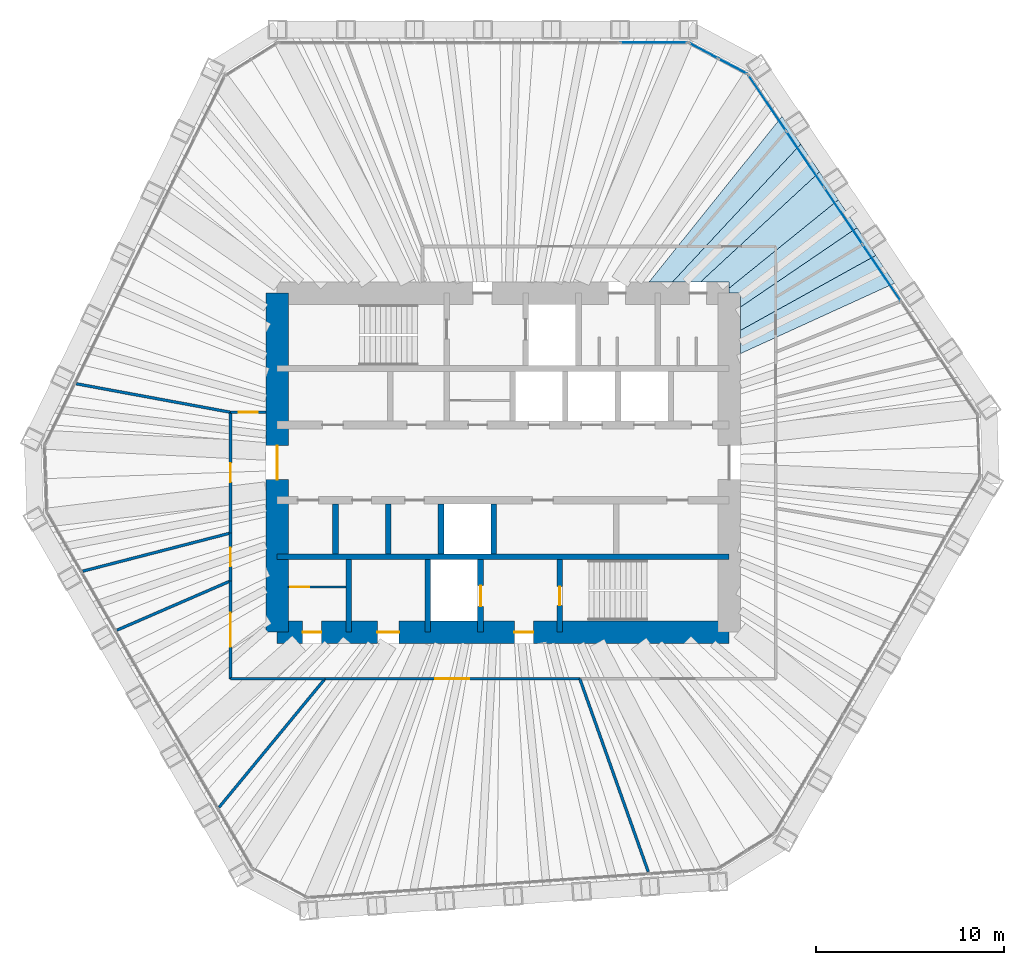
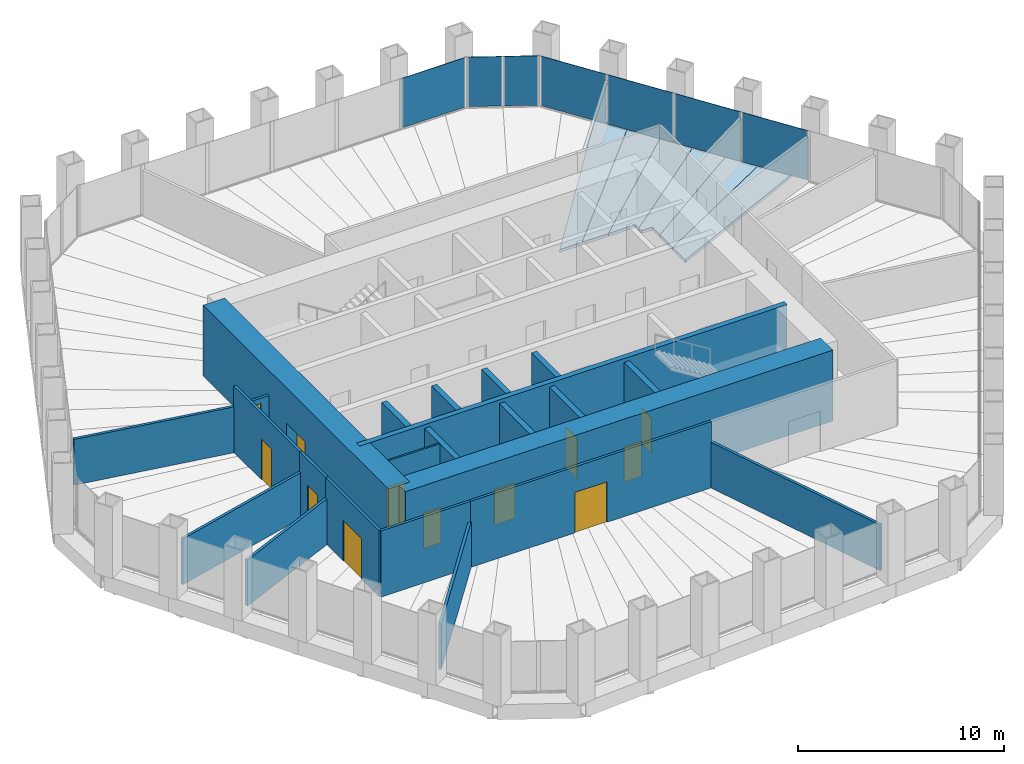
# One storey, part 9 of 12: 23 walls, 12 doors, 7 plates, 6 slabs, 12 openings, 3 elements without a shape of their own.
"""IFC4 building model written with IfcOpenShell, lengths in metres."""

from ifc_helpers import new_model, si_unit, direction, frame, frame_2d, origin, origin_2d, place, context, subcontext, project, spatial, polyline, rectangle, outline, extrude, material, layer, layer_set, type_object, element, fill, aggregate, save


model = new_model("IFC4")

# Units and contexts
model_context = context("Model", 3, precision=1e-05, world=origin(), true_north=direction((0.0, 1.0)))
body_context = subcontext(model_context, "Body", "Model", "MODEL_VIEW")
ifc_project = project(units=[si_unit("LENGTHUNIT", "METRE"), si_unit("AREAUNIT", "SQUARE_METRE"), si_unit("VOLUMEUNIT", "CUBIC_METRE"), si_unit("PLANEANGLEUNIT", "RADIAN"), si_unit("MASSUNIT", "GRAM", prefix="KILO")], contexts=[model_context])

# Site, building, storey
site_placement = place(None, origin())
site = spatial("IfcSite", under=ifc_project, at=site_placement, CompositionType="ELEMENT")
building_placement = place(site_placement, origin())
building = spatial("IfcBuilding", under=site, at=building_placement, Name="Qingtian Harvest Tower", CompositionType="ELEMENT")
storey_placement = place(building_placement, frame((0.0, 0.0, 251.800048828125)))
storey = spatial("IfcBuildingStorey", under=building, at=storey_placement, Name="L55", CompositionType="ELEMENT", Elevation=251.800048828125)

# Slabs
ifc_material_1 = material(Name="Concrete fc' 35 MPa", Category="concrete")
ifc_layer_1 = layer(ifc_material_1, 0.169921875)
ifc_layer_set_1 = layer_set([ifc_layer_1], Name="Composite floor slab FS17 170")
slab_type = type_object("IfcSlabType", Name="Composite floor slab FS17 170", PredefinedType="FLOOR", material=ifc_layer_set_1)
slab_1_placement = place(storey_placement, frame((0.0, 0.0, -0.170166015625)))
element("IfcSlab", 1, at=slab_1_placement, inside=storey, type_object=slab_type, Name="Floor slab L55 panel D45", PredefinedType="FLOOR", context=body_context, shape_type="SweptSolid", body=[
    extrude(outline(polyline([(12.60009765625, 7.023681640625), (19.7841796875, 11.003662109375), (20.780517578125, 9.526611328125), (12.60009765625, 5.7900390625), (12.60009765625, 7.023681640625)])), origin(), (0.0, 0.0, 1.0), 0.170166015625),
])
slab_2_placement = place(storey_placement, frame((0.0, 0.0, -0.170166015625)))
element("IfcSlab", 2, at=slab_2_placement, inside=storey, type_object=slab_type, Name="Floor slab L55 panel D46", PredefinedType="FLOOR", context=body_context, shape_type="SweptSolid", body=[
    extrude(outline(polyline([(12.60009765625, 8.260498046875), (18.791259765625, 12.475830078125), (19.7841796875, 11.003662109375), (12.60009765625, 7.023681640625), (12.60009765625, 8.260498046875)])), origin(), (0.0, 0.0, 1.0), 0.170166015625),
])
slab_3_placement = place(storey_placement, frame((0.0, 0.0, -0.170166015625)))
element("IfcSlab", 3, at=slab_3_placement, inside=storey, type_object=slab_type, Name="Floor slab L55 panel D47", PredefinedType="FLOOR", context=body_context, shape_type="SweptSolid", body=[
    extrude(outline(polyline([(12.60009765625, 9.0), (12.0, 9.0), (12.0, 9.2666015625), (17.795654296875, 13.95166015625), (18.791259765625, 12.475830078125), (12.60009765625, 8.260498046875), (12.60009765625, 9.0)])), origin(), (0.0, 0.0, 1.0), 0.170166015625),
])
slab_4_placement = place(storey_placement, frame((0.0, 0.0, -0.170166015625)))
element("IfcSlab", 4, at=slab_4_placement, inside=storey, type_object=slab_type, Name="Floor slab L55 panel D48", PredefinedType="FLOOR", context=body_context, shape_type="SweptSolid", body=[
    extrude(outline(polyline([(12.0, 9.60009765625), (10.48583984375, 9.60009765625), (16.79638671875, 15.43310546875), (17.795654296875, 13.95166015625), (12.0, 9.2666015625), (12.0, 9.60009765625)])), origin(), (0.0, 0.0, 1.0), 0.170166015625),
])
slab_5_placement = place(storey_placement, frame((0.0, 0.0, -0.170166015625)))
element("IfcSlab", 5, at=slab_5_placement, inside=storey, type_object=slab_type, Name="Floor slab L55 panel D49", PredefinedType="FLOOR", context=body_context, shape_type="SweptSolid", body=[
    extrude(outline(polyline([(8.998291015625, 9.60009765625), (15.800048828125, 16.910400390625), (16.79638671875, 15.43310546875), (10.48583984375, 9.60009765625), (8.998291015625, 9.60009765625)])), origin(), (0.0, 0.0, 1.0), 0.170166015625),
])
slab_6_placement = place(storey_placement, frame((0.0, 0.0, -0.170166015625)))
element("IfcSlab", 6, at=slab_6_placement, inside=storey, type_object=slab_type, Name="Floor slab L55 panel D50", PredefinedType="FLOOR", context=body_context, shape_type="SweptSolid", body=[
    extrude(outline(polyline([(7.751220703125, 9.60009765625), (14.8037109375, 18.3876953125), (15.800048828125, 16.910400390625), (8.998291015625, 9.60009765625), (7.751220703125, 9.60009765625)])), origin(), (0.0, 0.0, 1.0), 0.170166015625),
])

# Curtain wall, plate
ifc_material_2 = material(Name="Bronze-anodised aluminium curtain wall", Category="aluminium")
curtain_wall_type = type_object("IfcCurtainWallType", Name="Curtain wall CW4 office", PredefinedType="USERDEFINED", material=ifc_material_2)
curtain_wall_1_placement = place(storey_placement, origin())
curtain_wall_1 = element("IfcCurtainWall", 7, at=curtain_wall_1_placement, inside=storey, type_object=curtain_wall_type, Name="Curtain wall CW4 L55 N0-5", ObjectType="RECESSED CURTAIN WALL", PredefinedType="USERDEFINED")
ifc_material_3 = material(Name="Bronze-tinted laminated insulating glass", Category="glass")
ifc_layer_2 = layer(ifc_material_3, 0.030029296875)
ifc_layer_set_2 = layer_set([ifc_layer_2], Name="Glazed panel CWP tinted IGU")
plate_type = type_object("IfcPlateType", Name="Glazed panel CWP tinted IGU", PredefinedType="CURTAIN_PANEL", material=ifc_layer_set_2)
plate_1_placement = place(storey_placement, frame((7.996337890625, 22.300048828125, 0.06494140625), z_axis=(0.0, 0.0, 1.0), x_axis=(1.0, 0.0, 0.0)))
plate_1 = element("IfcPlate", 8, at=plate_1_placement, type_object=plate_type, Name="CW4 panel 6.1", PredefinedType="CURTAIN_PANEL", context=body_context, shape_type="SweptSolid", body=[
    extrude(rectangle(XDim=3.5361328125, YDim=0.030029296875, at=origin_2d()), origin(), (0.0, 0.0, 1.0), 2.93505859375),
])
aggregate(curtain_wall_1, [plate_1])

# Curtain wall, plates
curtain_wall_2_placement = place(storey_placement, origin())
curtain_wall_2 = element("IfcCurtainWall", 9, at=curtain_wall_2_placement, inside=storey, type_object=curtain_wall_type, Name="Curtain wall CW4 L55 NC", ObjectType="RECESSED CURTAIN WALL", PredefinedType="USERDEFINED")
plate_2_placement = place(storey_placement, frame((10.634033203125, 21.8720703125, 0.06494140625), z_axis=(0.0, 0.0, 1.0), x_axis=(0.882947592859, -0.469471562786, 0.0)))
plate_2 = element("IfcPlate", 10, at=plate_2_placement, type_object=plate_type, Name="CW4 panel 1.1", PredefinedType="CURTAIN_PANEL", context=body_context, shape_type="SweptSolid", body=[
    extrude(rectangle(XDim=1.69287109375, YDim=0.030029296875, at=origin_2d()), origin(), (0.0, 0.0, 1.0), 2.93505859375),
])
plate_3_placement = place(storey_placement, frame((12.186279296875, 21.046875, 0.06494140625), z_axis=(0.0, 0.0, 1.0), x_axis=(0.882947592859, -0.469471562786, 0.0)))
plate_3 = element("IfcPlate", 11, at=plate_3_placement, type_object=plate_type, Name="CW4 panel 2.1", PredefinedType="CURTAIN_PANEL", context=body_context, shape_type="SweptSolid", body=[
    extrude(rectangle(XDim=1.69287109375, YDim=0.030029296875, at=origin_2d()), origin(), (0.0, 0.0, 1.0), 2.93505859375),
])
aggregate(curtain_wall_2, [plate_2, plate_3])

curtain_wall_3_placement = place(storey_placement, origin())
curtain_wall_3 = element("IfcCurtainWall", 12, at=curtain_wall_3_placement, inside=storey, type_object=curtain_wall_type, Name="Curtain wall CW4 L55 NE0-5", ObjectType="RECESSED CURTAIN WALL", PredefinedType="USERDEFINED")
plate_4_placement = place(storey_placement, frame((14.01611328125, 19.09912109375, 0.06494140625), z_axis=(0.0, 0.0, 1.0), x_axis=(0.559192903471, -0.829037572555, 0.0)))
plate_4 = element("IfcPlate", 13, at=plate_4_placement, type_object=plate_type, Name="CW4 panel 1.1", PredefinedType="CURTAIN_PANEL", context=body_context, shape_type="SweptSolid", body=[
    extrude(rectangle(XDim=3.5361328125, YDim=0.030029296875, at=origin_2d()), origin(), (0.0, 0.0, 1.0), 2.93505859375),
])
plate_5_placement = place(storey_placement, frame((16.038818359375, 16.100341796875, 0.06494140625), z_axis=(0.0, 0.0, 1.0), x_axis=(0.559192903471, -0.829037572555, 0.0)))
plate_5 = element("IfcPlate", 14, at=plate_5_placement, type_object=plate_type, Name="CW4 panel 2.1", PredefinedType="CURTAIN_PANEL", context=body_context, shape_type="SweptSolid", body=[
    extrude(rectangle(XDim=3.568603515625, YDim=0.030029296875, at=origin_2d()), origin(), (0.0, 0.0, 1.0), 2.93505859375),
])
plate_6_placement = place(storey_placement, frame((18.07080078125, 13.087890625, 0.06494140625), z_axis=(0.0, 0.0, 1.0), x_axis=(0.559192903471, -0.829037572555, 0.0)))
plate_6 = element("IfcPlate", 15, at=plate_6_placement, type_object=plate_type, Name="CW4 panel 3.1", PredefinedType="CURTAIN_PANEL", context=body_context, shape_type="SweptSolid", body=[
    extrude(rectangle(XDim=3.568603515625, YDim=0.030029296875, at=origin_2d()), origin(), (0.0, 0.0, 1.0), 2.93505859375),
])
plate_7_placement = place(storey_placement, frame((20.1025390625, 10.07568359375, 0.06494140625), z_axis=(0.0, 0.0, 1.0), x_axis=(0.559192903471, -0.829037572555, 0.0)))
plate_7 = element("IfcPlate", 16, at=plate_7_placement, type_object=plate_type, Name="CW4 panel 4.1", PredefinedType="CURTAIN_PANEL", context=body_context, shape_type="SweptSolid", body=[
    extrude(rectangle(XDim=3.568603515625, YDim=0.030029296875, at=origin_2d()), origin(), (0.0, 0.0, 1.0), 2.93505859375),
])
aggregate(curtain_wall_3, [plate_4, plate_5, plate_6, plate_7])

# Walls
ifc_material_4 = material(Name="Concrete fc' 70 MPa", Category="concrete")
ifc_layer_3 = layer(ifc_material_4, 0.300048828125)
ifc_layer_set_3 = layer_set([ifc_layer_3], Name="Core inner wall RC5 300")
wall_type_1 = type_object("IfcWallType", Name="Core inner wall RC5 300", PredefinedType="SHEAR", material=ifc_layer_set_3)
wall_1_placement = place(storey_placement, frame((-12.0, -5.0, 0.0), z_axis=(0.0, 0.0, 1.0), x_axis=(1.0, 0.0, 0.0)))
element("IfcWall", 17, at=wall_1_placement, inside=storey, type_object=wall_type_1, Name="Core wall IS5 L55", PredefinedType="SHEAR", context=body_context, shape_type="SweptSolid", body=[
    extrude(rectangle(XDim=24.0, YDim=0.300048828125, at=frame_2d((12.0, 0.0))), origin(), (0.0, 0.0, 1.0), 4.199951171875),
])
ifc_material_5 = material(Name="Precast concrete shaft panel", Category="concrete")
ifc_layer_4 = layer(ifc_material_5, 0.300048828125)
ifc_layer_set_4 = layer_set([ifc_layer_4], Name="Core shaft partition SW1 300")
wall_type_2 = type_object("IfcWallType", Name="Core shaft partition SW1 300", PredefinedType="PARTITIONING", material=ifc_layer_set_4)
for number, where, z_axis, x_axis, name in (
    (18, (-8.89990234375, -4.85009765625, 0.0), (0.0, 0.0, 1.0), (0.0, 1.0, 0.0), "Core shaft partition XB1 L55"),
    (19, (-6.10009765625, -4.85009765625, 0.0), (0.0, 0.0, 1.0), (0.0, 1.0, 0.0), "Core shaft partition XB2 L55"),
    (20, (-3.300048828125, -4.85009765625, 0.0), (0.0, 0.0, 1.0), (0.0, 1.0, 0.0), "Core shaft partition XB3 L55"),
    (21, (-0.5, -4.85009765625, 0.0), (0.0, 0.0, 1.0), (0.0, 1.0, 0.0), "Core shaft partition XB4 L55"),
):
    element("IfcWall", number, at=place(storey_placement, frame(where, z_axis=z_axis, x_axis=x_axis)), inside=storey, type_object=wall_type_2, Name=name, PredefinedType="PARTITIONING", context=body_context, shape_type="SweptSolid", body=[
        extrude(rectangle(XDim=2.650146484375, YDim=0.300048828125, at=frame_2d((1.3251953125, 0.0))), origin(), (0.0, 0.0, 1.0), 3.97998046875),
    ])
for number, where, z_axis, x_axis, name in (
    (22, (-8.199951171875, -9.0, 0.0), (0.0, 0.0, 1.0), (0.0, 1.0, 0.0), "Core shaft partition XS1 L55"),
    (23, (-4.0, -9.0, 0.0), (0.0, 0.0, 1.0), (0.0, 1.0, 0.0), "Core shaft partition XS2 L55"),
):
    element("IfcWall", number, at=place(storey_placement, frame(where, z_axis=z_axis, x_axis=x_axis)), inside=storey, type_object=wall_type_2, Name=name, PredefinedType="PARTITIONING", context=body_context, shape_type="SweptSolid", body=[
        extrude(rectangle(XDim=3.85009765625, YDim=0.300048828125, at=frame_2d((1.925048828125, 0.0))), origin(), (0.0, 0.0, 1.0), 3.97998046875),
    ])

# Wall, opening, door
wall_2_placement = place(storey_placement, frame((-1.199951171875, -9.0, 0.0), z_axis=(0.0, 0.0, 1.0), x_axis=(0.0, 1.0, 0.0)))
wall_2 = element("IfcWall", 24, at=wall_2_placement, inside=storey, type_object=wall_type_2, Name="Core shaft partition XS3 L55", PredefinedType="PARTITIONING", context=body_context, shape_type="SweptSolid", body=[
    extrude(rectangle(XDim=3.85009765625, YDim=0.300048828125, at=frame_2d((1.925048828125, 0.0))), origin(), (0.0, 0.0, 1.0), 3.97998046875),
])
opening_1_placement = place(wall_2_placement, frame((1.375, 0.0, 0.0)))
opening_1 = element("IfcOpeningElement", 25, at=opening_1_placement, cuts=wall_2, Name="Opening LD1", PredefinedType="OPENING", context=body_context, shape_type="SweptSolid", body=[
    extrude(rectangle(XDim=1.10009765625, YDim=2.39990234375, at=frame_2d((0.550048828125, 1.199951171875))), frame((0.0, 0.159912109375, 0.0), z_axis=(0.0, -1.0, 0.0), x_axis=(1.0, 0.0, 0.0)), (0.0, 0.0, 1.0), 0.320068359375),
])
ifc_material_6 = material(Name="Stainless steel lift landing door", Category="steel")
door_type_1 = type_object("IfcDoorType", Name="Lift landing door LD1 1 HR", OperationType="DOUBLE_DOOR_SLIDING", PredefinedType="DOOR", material=ifc_material_6)
door_1_placement = place(opening_1_placement, origin())
door_1 = element("IfcDoor", 26, at=door_1_placement, inside=storey, type_object=door_type_1, Name="FL2 landing door L55", OperationType="DOUBLE_DOOR_SLIDING", OverallHeight=2.39990234375, OverallWidth=1.10009765625, PredefinedType="DOOR", context=body_context, shape_type="SweptSolid", body=[
    extrude(rectangle(XDim=1.10009765625, YDim=2.39990234375, at=frame_2d((0.550048828125, 1.199951171875))), frame((0.0, 0.02490234375, 0.0), z_axis=(0.0, -1.0, 0.0), x_axis=(1.0, 0.0, 0.0)), (0.0, 0.0, 1.0), 0.050048828125),
])
fill(opening_1, door_1)

wall_3_placement = place(storey_placement, frame((3.0, -9.0, 0.0), z_axis=(0.0, 0.0, 1.0), x_axis=(0.0, 1.0, 0.0)))
wall_3 = element("IfcWall", 27, at=wall_3_placement, inside=storey, type_object=wall_type_2, Name="Core shaft partition XS4 L55", PredefinedType="PARTITIONING", context=body_context, shape_type="SweptSolid", body=[
    extrude(rectangle(XDim=3.85009765625, YDim=0.300048828125, at=frame_2d((1.925048828125, 0.0))), origin(), (0.0, 0.0, 1.0), 3.97998046875),
])
opening_2_placement = place(wall_3_placement, frame((1.425048828125, 0.0, 0.0)))
opening_2 = element("IfcOpeningElement", 28, at=opening_2_placement, cuts=wall_3, Name="Opening FD1", PredefinedType="OPENING", context=body_context, shape_type="SweptSolid", body=[
    extrude(rectangle(XDim=1.0, YDim=2.10009765625, at=frame_2d((0.5, 1.050048828125))), frame((0.0, 0.159912109375, 0.0), z_axis=(0.0, -1.0, 0.0), x_axis=(1.0, 0.0, 0.0)), (0.0, 0.0, 1.0), 0.320068359375),
])
ifc_material_7 = material(Name="Steel-faced door leaf", Category="steel")
door_type_2 = type_object("IfcDoorType", Name="Fire door FD1 single 1 HR", OperationType="SINGLE_SWING_LEFT", PredefinedType="DOOR", material=ifc_material_7)
door_2_placement = place(opening_2_placement, origin())
door_2 = element("IfcDoor", 29, at=door_2_placement, inside=storey, type_object=door_type_2, Name="S2 door L55", OperationType="SINGLE_SWING_LEFT", OverallHeight=2.10009765625, OverallWidth=1.0, PredefinedType="DOOR", context=body_context, shape_type="SweptSolid", body=[
    extrude(rectangle(XDim=1.0, YDim=2.10009765625, at=frame_2d((0.5, 1.050048828125))), frame((0.0, 0.02490234375, 0.0), z_axis=(0.0, -1.0, 0.0), x_axis=(1.0, 0.0, 0.0)), (0.0, 0.0, 1.0), 0.050048828125),
])
fill(opening_2, door_2)

# Wall, openings, doors
ifc_material_8 = material(Name="Concrete fc' 70 MPa", Category="concrete")
ifc_layer_5 = layer(ifc_material_8, 1.199951171875)
ifc_layer_set_5 = layer_set([ifc_layer_5], Name="Core wall RC2 1200")
wall_type_3 = type_object("IfcWallType", Name="Core wall RC2 1200", PredefinedType="SHEAR", material=ifc_layer_set_5)
wall_4_placement = place(storey_placement, frame((-12.0, -9.0, 0.0), z_axis=(0.0, 0.0, 1.0), x_axis=(1.0, 0.0, 0.0)))
wall_4 = element("IfcWall", 30, at=wall_4_placement, inside=storey, type_object=wall_type_3, Name="Core wall CS L55", PredefinedType="SHEAR", context=body_context, shape_type="SweptSolid", body=[
    extrude(rectangle(XDim=24.0, YDim=1.199951171875, at=frame_2d((12.0, 0.0))), origin(), (0.0, 0.0, 1.0), 4.199951171875),
])
opening_3_placement = place(wall_4_placement, frame((1.35009765625, 0.0, 0.0)))
opening_3 = element("IfcOpeningElement", 31, at=opening_3_placement, cuts=wall_4, Name="Opening FD1", PredefinedType="OPENING", context=body_context, shape_type="SweptSolid", body=[
    extrude(rectangle(XDim=1.0, YDim=2.10009765625, at=frame_2d((0.5, 1.050048828125))), frame((0.0, 0.60986328125, 0.0), z_axis=(0.0, -1.0, 0.0), x_axis=(1.0, 0.0, 0.0)), (0.0, 0.0, 1.0), 1.219970703125),
])
opening_4_placement = place(wall_4_placement, frame((5.324951171875, 0.0, 0.0)))
opening_4 = element("IfcOpeningElement", 32, at=opening_4_placement, cuts=wall_4, Name="Opening AD1", PredefinedType="OPENING", context=body_context, shape_type="SweptSolid", body=[
    extrude(rectangle(XDim=1.14990234375, YDim=2.10009765625, at=frame_2d((0.574951171875, 1.050048828125))), frame((0.0, 0.60986328125, 0.0), z_axis=(0.0, -1.0, 0.0), x_axis=(1.0, 0.0, 0.0)), (0.0, 0.0, 1.0), 1.219970703125),
])
opening_5_placement = place(wall_4_placement, frame((12.60009765625, 0.0, 0.0)))
opening_5 = element("IfcOpeningElement", 33, at=opening_5_placement, cuts=wall_4, Name="Opening FD1", PredefinedType="OPENING", context=body_context, shape_type="SweptSolid", body=[
    extrude(rectangle(XDim=1.0, YDim=2.10009765625, at=frame_2d((0.5, 1.050048828125))), frame((0.0, 0.60986328125, 0.0), z_axis=(0.0, -1.0, 0.0), x_axis=(1.0, 0.0, 0.0)), (0.0, 0.0, 1.0), 1.219970703125),
])
ifc_material_9 = material(Name="Laminated timber door leaf", Category="wood")
door_type_3 = type_object("IfcDoorType", Name="Accessible WC door AD1 single", OperationType="SINGLE_SWING_LEFT", PredefinedType="DOOR", material=ifc_material_9)
door_3_placement = place(opening_4_placement, origin())
door_3 = element("IfcDoor", 34, at=door_3_placement, inside=storey, type_object=door_type_3, Name="AWC door L55", OperationType="SINGLE_SWING_LEFT", OverallHeight=2.10009765625, OverallWidth=1.14990234375, PredefinedType="DOOR", context=body_context, shape_type="SweptSolid", body=[
    extrude(rectangle(XDim=1.14990234375, YDim=2.10009765625, at=frame_2d((0.574951171875, 1.050048828125))), frame((0.0, 0.02490234375, 0.0), z_axis=(0.0, -1.0, 0.0), x_axis=(1.0, 0.0, 0.0)), (0.0, 0.0, 1.0), 0.050048828125),
])
fill(opening_4, door_3)
door_4_placement = place(opening_3_placement, origin())
door_4 = element("IfcDoor", 35, at=door_4_placement, inside=storey, type_object=door_type_2, Name="CLN door L55", OperationType="SINGLE_SWING_LEFT", OverallHeight=2.10009765625, OverallWidth=1.0, PredefinedType="DOOR", context=body_context, shape_type="SweptSolid", body=[
    extrude(rectangle(XDim=1.0, YDim=2.10009765625, at=frame_2d((0.5, 1.050048828125))), frame((0.0, 0.02490234375, 0.0), z_axis=(0.0, -1.0, 0.0), x_axis=(1.0, 0.0, 0.0)), (0.0, 0.0, 1.0), 0.050048828125),
])
fill(opening_3, door_4)
door_5_placement = place(opening_5_placement, origin())
door_5 = element("IfcDoor", 36, at=door_5_placement, inside=storey, type_object=door_type_2, Name="V2 door L55", OperationType="SINGLE_SWING_RIGHT", OverallHeight=2.10009765625, OverallWidth=1.0, PredefinedType="DOOR", context=body_context, shape_type="SweptSolid", body=[
    extrude(rectangle(XDim=1.0, YDim=2.10009765625, at=frame_2d((0.5, 1.050048828125))), frame((0.0, 0.02490234375, 0.0), z_axis=(0.0, -1.0, 0.0), x_axis=(1.0, 0.0, 0.0)), (0.0, 0.0, 1.0), 0.050048828125),
])
fill(opening_5, door_5)

# Wall, opening, door
wall_5_placement = place(storey_placement, frame((-12.0, -9.0, 0.0), z_axis=(0.0, 0.0, 1.0), x_axis=(0.0, 1.0, 0.0)))
wall_5 = element("IfcWall", 37, at=wall_5_placement, inside=storey, type_object=wall_type_3, Name="Core wall CW L55", PredefinedType="SHEAR", context=body_context, shape_type="SweptSolid", body=[
    extrude(rectangle(XDim=18.0, YDim=1.199951171875, at=frame_2d((9.0, 0.0))), origin(), (0.0, 0.0, 1.0), 4.199951171875),
])
opening_6_placement = place(wall_5_placement, frame((8.10009765625, 0.0, 0.0)))
opening_6 = element("IfcOpeningElement", 38, at=opening_6_placement, cuts=wall_5, Name="Opening FD2", PredefinedType="OPENING", context=body_context, shape_type="SweptSolid", body=[
    extrude(rectangle(XDim=1.800048828125, YDim=2.10009765625, at=frame_2d((0.89990234375, 1.050048828125))), frame((0.0, 0.60986328125, 0.0), z_axis=(0.0, -1.0, 0.0), x_axis=(1.0, 0.0, 0.0)), (0.0, 0.0, 1.0), 1.219970703125),
])
ifc_material_10 = material(Name="Steel-faced door leaf", Category="steel")
door_type_4 = type_object("IfcDoorType", Name="Fire door FD2 double 1 HR", OperationType="DOUBLE_DOOR_DOUBLE_SWING", PredefinedType="DOOR", material=ifc_material_10)
door_6_placement = place(opening_6_placement, origin())
door_6 = element("IfcDoor", 39, at=door_6_placement, inside=storey, type_object=door_type_4, Name="LOBBY-W door L55", OperationType="DOUBLE_DOOR_DOUBLE_SWING", OverallHeight=2.10009765625, OverallWidth=1.800048828125, PredefinedType="DOOR", context=body_context, shape_type="SweptSolid", body=[
    extrude(rectangle(XDim=1.800048828125, YDim=2.10009765625, at=frame_2d((0.89990234375, 1.050048828125))), frame((0.0, 0.02490234375, 0.0), z_axis=(0.0, -1.0, 0.0), x_axis=(1.0, 0.0, 0.0)), (0.0, 0.0, 1.0), 0.050048828125),
])
fill(opening_6, door_6)

# Wall
ifc_material_11 = material(Name="Gypsum board on steel studs", Category="steel")
ifc_layer_6 = layer(ifc_material_11, 0.14990234375)
ifc_layer_set_6 = layer_set([ifc_layer_6], Name="Partition PT1 150")
wall_type_4 = type_object("IfcWallType", Name="Partition PT1 150", PredefinedType="PARTITIONING", material=ifc_layer_set_6)
wall_6_placement = place(storey_placement, frame((7.702880859375, -21.71923828125, 0.0), z_axis=(0.0, 0.0, 1.0), x_axis=(-0.334269551553, 0.942477515331, 0.0)))
element("IfcWall", 40, at=wall_6_placement, inside=storey, type_object=wall_type_4, Name="Office suite wall L55", PredefinedType="PARTITIONING", context=body_context, shape_type="SweptSolid", body=[
    extrude(rectangle(XDim=10.869384765625, YDim=0.14990234375, at=frame_2d((5.4345703125, 0.0))), origin(), (0.0, 0.0, 1.0), 2.719970703125),
])

# Wall, opening, door
wall_7_placement = place(storey_placement, frame((4.069580078125, -11.47509765625, 0.0), z_axis=(0.0, 0.0, 1.0), x_axis=(-1.0, 0.0, 0.0)))
wall_7 = element("IfcWall", 41, at=wall_7_placement, inside=storey, type_object=wall_type_4, Name="Office suite wall L55", PredefinedType="PARTITIONING", context=body_context, shape_type="SweptSolid", body=[
    extrude(rectangle(XDim=13.5283203125, YDim=0.14990234375, at=frame_2d((6.76416015625, 0.0))), origin(), (0.0, 0.0, 1.0), 3.919921875),
])
opening_7_placement = place(wall_7_placement, frame((5.8642578125, 0.0, 0.0)))
opening_7 = element("IfcOpeningElement", 42, at=opening_7_placement, cuts=wall_7, Name="Opening D3", PredefinedType="OPENING", context=body_context, shape_type="SweptSolid", body=[
    extrude(rectangle(XDim=1.800048828125, YDim=2.39990234375, at=frame_2d((0.89990234375, 1.199951171875))), frame((0.0, 0.0849609375, 0.0), z_axis=(0.0, -1.0, 0.0), x_axis=(1.0, 0.0, 0.0)), (0.0, 0.0, 1.0), 0.169921875),
])
ifc_material_12 = material(Name="Laminated timber door leaf", Category="wood")
door_type_5 = type_object("IfcDoorType", Name="Room door D3 double", OperationType="DOUBLE_DOOR_DOUBLE_SWING", PredefinedType="DOOR", material=ifc_material_12)
door_7_placement = place(opening_7_placement, origin())
door_7 = element("IfcDoor", 43, at=door_7_placement, inside=storey, type_object=door_type_5, Name="Office suite door L55", OperationType="DOUBLE_DOOR_DOUBLE_SWING", OverallHeight=2.39990234375, OverallWidth=1.800048828125, PredefinedType="DOOR", context=body_context, shape_type="SweptSolid", body=[
    extrude(rectangle(XDim=1.800048828125, YDim=2.39990234375, at=frame_2d((0.89990234375, 1.199951171875))), frame((0.0, 0.02490234375, 0.0), z_axis=(0.0, -1.0, 0.0), x_axis=(1.0, 0.0, 0.0)), (0.0, 0.0, 1.0), 0.050048828125),
])
fill(opening_7, door_7)

# Walls
wall_8_placement = place(storey_placement, frame((-15.07958984375, -18.294189453125, 0.0), z_axis=(0.0, 0.0, 1.0), x_axis=(0.636052894953, 0.771645459277, 0.0)))
element("IfcWall", 44, at=wall_8_placement, inside=storey, type_object=wall_type_4, Name="Meeting room wall L55", PredefinedType="PARTITIONING", context=body_context, shape_type="SweptSolid", body=[
    extrude(rectangle(XDim=8.837158203125, YDim=0.14990234375, at=frame_2d((4.41845703125, 0.0))), origin(), (0.0, 0.0, 1.0), 2.719970703125),
])
wall_9_placement = place(storey_placement, frame((-9.458740234375, -11.47509765625, 0.0), z_axis=(0.0, 0.0, 1.0), x_axis=(-1.0, 0.0, 0.0)))
element("IfcWall", 45, at=wall_9_placement, inside=storey, type_object=wall_type_4, Name="Meeting room wall L55", PredefinedType="PARTITIONING", context=body_context, shape_type="SweptSolid", body=[
    extrude(rectangle(XDim=5.016357421875, YDim=0.14990234375, at=frame_2d((2.50830078125, 0.0))), origin(), (0.0, 0.0, 1.0), 3.919921875),
])

# Wall, opening, door
wall_10_placement = place(storey_placement, frame((-14.47509765625, -11.47509765625, 0.0), z_axis=(0.0, 0.0, 1.0), x_axis=(0.0, 1.0, 0.0)))
wall_10 = element("IfcWall", 46, at=wall_10_placement, inside=storey, type_object=wall_type_4, Name="Meeting room wall L55", PredefinedType="PARTITIONING", context=body_context, shape_type="SweptSolid", body=[
    extrude(rectangle(XDim=5.197509765625, YDim=0.14990234375, at=frame_2d((2.5986328125, 0.0))), origin(), (0.0, 0.0, 1.0), 3.919921875),
])
opening_8_placement = place(wall_10_placement, frame((1.69873046875, 0.0, 0.0)))
opening_8 = element("IfcOpeningElement", 47, at=opening_8_placement, cuts=wall_10, Name="Opening D3", PredefinedType="OPENING", context=body_context, shape_type="SweptSolid", body=[
    extrude(rectangle(XDim=1.800048828125, YDim=2.39990234375, at=frame_2d((0.89990234375, 1.199951171875))), frame((0.0, 0.0849609375, 0.0), z_axis=(0.0, -1.0, 0.0), x_axis=(1.0, 0.0, 0.0)), (0.0, 0.0, 1.0), 0.169921875),
])
door_8_placement = place(opening_8_placement, origin())
door_8 = element("IfcDoor", 48, at=door_8_placement, inside=storey, type_object=door_type_5, Name="Meeting room door L55", OperationType="DOUBLE_DOOR_DOUBLE_SWING", OverallHeight=2.39990234375, OverallWidth=1.800048828125, PredefinedType="DOOR", context=body_context, shape_type="SweptSolid", body=[
    extrude(rectangle(XDim=1.800048828125, YDim=2.39990234375, at=frame_2d((0.89990234375, 1.199951171875))), frame((0.0, 0.02490234375, 0.0), z_axis=(0.0, -1.0, 0.0), x_axis=(1.0, 0.0, 0.0)), (0.0, 0.0, 1.0), 0.050048828125),
])
fill(opening_8, door_8)

# Wall
wall_11_placement = place(storey_placement, frame((-20.501708984375, -8.891357421875, 0.0), z_axis=(0.0, 0.0, 1.0), x_axis=(0.917431289744, 0.397894242982, 0.0)))
element("IfcWall", 49, at=wall_11_placement, inside=storey, type_object=wall_type_4, Name="Focus room wall L55", PredefinedType="PARTITIONING", context=body_context, shape_type="SweptSolid", body=[
    extrude(rectangle(XDim=6.569091796875, YDim=0.14990234375, at=frame_2d((3.28466796875, 0.0))), origin(), (0.0, 0.0, 1.0), 2.719970703125),
])

# Wall, opening, door
wall_12_placement = place(storey_placement, frame((-14.47509765625, -6.277587890625, 0.0), z_axis=(0.0, 0.0, 1.0), x_axis=(0.0, 1.0, 0.0)))
wall_12 = element("IfcWall", 50, at=wall_12_placement, inside=storey, type_object=wall_type_4, Name="Focus room wall L55", PredefinedType="PARTITIONING", context=body_context, shape_type="SweptSolid", body=[
    extrude(rectangle(XDim=2.54150390625, YDim=0.14990234375, at=frame_2d((1.270751953125, 0.0))), origin(), (0.0, 0.0, 1.0), 3.919921875),
])
opening_9_placement = place(wall_12_placement, frame((0.770751953125, 0.0, 0.0)))
opening_9 = element("IfcOpeningElement", 51, at=opening_9_placement, cuts=wall_12, Name="Opening D2", PredefinedType="OPENING", context=body_context, shape_type="SweptSolid", body=[
    extrude(rectangle(XDim=1.0, YDim=2.39990234375, at=frame_2d((0.5, 1.199951171875))), frame((0.0, 0.0849609375, 0.0), z_axis=(0.0, -1.0, 0.0), x_axis=(1.0, 0.0, 0.0)), (0.0, 0.0, 1.0), 0.169921875),
])
ifc_material_13 = material(Name="Laminated timber door leaf", Category="wood")
door_type_6 = type_object("IfcDoorType", Name="Room door D2 single", OperationType="SINGLE_SWING_LEFT", PredefinedType="DOOR", material=ifc_material_13)
door_9_placement = place(opening_9_placement, origin())
door_9 = element("IfcDoor", 52, at=door_9_placement, inside=storey, type_object=door_type_6, Name="Focus room door L55", OperationType="SINGLE_SWING_LEFT", OverallHeight=2.39990234375, OverallWidth=1.0, PredefinedType="DOOR", context=body_context, shape_type="SweptSolid", body=[
    extrude(rectangle(XDim=1.0, YDim=2.39990234375, at=frame_2d((0.5, 1.199951171875))), frame((0.0, 0.02490234375, 0.0), z_axis=(0.0, -1.0, 0.0), x_axis=(1.0, 0.0, 0.0)), (0.0, 0.0, 1.0), 0.050048828125),
])
fill(opening_9, door_9)

# Wall
wall_13_placement = place(storey_placement, frame((-22.3134765625, -5.75927734375, 0.0), z_axis=(0.0, 0.0, 1.0), x_axis=(0.968265788926, 0.249922712042, 0.0)))
element("IfcWall", 53, at=wall_13_placement, inside=storey, type_object=wall_type_4, Name="Meeting room wall L55", PredefinedType="PARTITIONING", context=body_context, shape_type="SweptSolid", body=[
    extrude(rectangle(XDim=8.09521484375, YDim=0.14990234375, at=frame_2d((4.047607421875, 0.0))), origin(), (0.0, 0.0, 1.0), 2.719970703125),
])

# Wall, opening, door
wall_14_placement = place(storey_placement, frame((-14.47509765625, -3.736083984375, 0.0), z_axis=(0.0, 0.0, 1.0), x_axis=(0.0, 1.0, 0.0)))
wall_14 = element("IfcWall", 54, at=wall_14_placement, inside=storey, type_object=wall_type_4, Name="Meeting room wall L55", PredefinedType="PARTITIONING", context=body_context, shape_type="SweptSolid", body=[
    extrude(rectangle(XDim=6.411865234375, YDim=0.14990234375, at=frame_2d((3.2060546875, 0.0))), origin(), (0.0, 0.0, 1.0), 3.919921875),
])
opening_10_placement = place(wall_14_placement, frame((2.705810546875, 0.0, 0.0)))
opening_10 = element("IfcOpeningElement", 55, at=opening_10_placement, cuts=wall_14, Name="Opening D2", PredefinedType="OPENING", context=body_context, shape_type="SweptSolid", body=[
    extrude(rectangle(XDim=1.0, YDim=2.39990234375, at=frame_2d((0.5, 1.199951171875))), frame((0.0, 0.0849609375, 0.0), z_axis=(0.0, -1.0, 0.0), x_axis=(1.0, 0.0, 0.0)), (0.0, 0.0, 1.0), 0.169921875),
])
door_10_placement = place(opening_10_placement, origin())
door_10 = element("IfcDoor", 56, at=door_10_placement, inside=storey, type_object=door_type_6, Name="Meeting room door L55", OperationType="SINGLE_SWING_LEFT", OverallHeight=2.39990234375, OverallWidth=1.0, PredefinedType="DOOR", context=body_context, shape_type="SweptSolid", body=[
    extrude(rectangle(XDim=1.0, YDim=2.39990234375, at=frame_2d((0.5, 1.199951171875))), frame((0.0, 0.02490234375, 0.0), z_axis=(0.0, -1.0, 0.0), x_axis=(1.0, 0.0, 0.0)), (0.0, 0.0, 1.0), 0.050048828125),
])
fill(opening_10, door_10)

# Wall
wall_15_placement = place(storey_placement, frame((-22.660888671875, 4.188720703125, 0.0), z_axis=(0.0, 0.0, 1.0), x_axis=(0.983345347199, -0.181746879316, 0.0)))
element("IfcWall", 57, at=wall_15_placement, inside=storey, type_object=wall_type_4, Name="Office suite wall L55", PredefinedType="PARTITIONING", context=body_context, shape_type="SweptSolid", body=[
    extrude(rectangle(XDim=8.324462890625, YDim=0.14990234375, at=frame_2d((4.162109375, 0.0))), origin(), (0.0, 0.0, 1.0), 2.719970703125),
])

# Wall, opening, door
wall_16_placement = place(storey_placement, frame((-14.47509765625, 2.67578125, 0.0), z_axis=(0.0, 0.0, 1.0), x_axis=(1.0, 0.0, 0.0)))
wall_16 = element("IfcWall", 58, at=wall_16_placement, inside=storey, type_object=wall_type_4, Name="Office suite wall L55", PredefinedType="PARTITIONING", context=body_context, shape_type="SweptSolid", body=[
    extrude(rectangle(XDim=1.875, YDim=0.14990234375, at=frame_2d((0.9375, 0.0))), origin(), (0.0, 0.0, 1.0), 2.719970703125),
])
opening_11_placement = place(wall_16_placement, frame((0.4375, 0.0, 0.0)))
opening_11 = element("IfcOpeningElement", 59, at=opening_11_placement, cuts=wall_16, Name="Opening D2", PredefinedType="OPENING", context=body_context, shape_type="SweptSolid", body=[
    extrude(rectangle(XDim=1.0, YDim=2.39990234375, at=frame_2d((0.5, 1.199951171875))), frame((0.0, 0.0849609375, 0.0), z_axis=(0.0, -1.0, 0.0), x_axis=(1.0, 0.0, 0.0)), (0.0, 0.0, 1.0), 0.169921875),
])
door_11_placement = place(opening_11_placement, origin())
door_11 = element("IfcDoor", 60, at=door_11_placement, inside=storey, type_object=door_type_6, Name="Office suite door L55", OperationType="SINGLE_SWING_RIGHT", OverallHeight=2.39990234375, OverallWidth=1.0, PredefinedType="DOOR", context=body_context, shape_type="SweptSolid", body=[
    extrude(rectangle(XDim=1.0, YDim=2.39990234375, at=frame_2d((0.5, 1.199951171875))), frame((0.0, 0.02490234375, 0.0), z_axis=(0.0, -1.0, 0.0), x_axis=(1.0, 0.0, 0.0)), (0.0, 0.0, 1.0), 0.050048828125),
])
fill(opening_11, door_11)

ifc_material_14 = material(Name="Concrete block partition", Category="concrete")
ifc_layer_7 = layer(ifc_material_14, 0.10009765625)
ifc_layer_set_7 = layer_set([ifc_layer_7], Name="Store partition PT3 100")
wall_type_5 = type_object("IfcWallType", Name="Store partition PT3 100", PredefinedType="PARTITIONING", material=ifc_layer_set_7)
wall_17_placement = place(storey_placement, frame((-11.39990234375, -6.60009765625, 0.0), z_axis=(0.0, 0.0, 1.0), x_axis=(1.0, 0.0, 0.0)))
wall_17 = element("IfcWall", 61, at=wall_17_placement, inside=storey, type_object=wall_type_5, Name="Waste store wall L55", PredefinedType="PARTITIONING", context=body_context, shape_type="SweptSolid", body=[
    extrude(rectangle(XDim=3.0498046875, YDim=0.10009765625, at=frame_2d((1.52490234375, 0.0))), origin(), (0.0, 0.0, 1.0), 3.97998046875),
])
opening_12_placement = place(wall_17_placement, frame((0.10009765625, 0.0, 0.0)))
opening_12 = element("IfcOpeningElement", 62, at=opening_12_placement, cuts=wall_17, Name="Opening D2", PredefinedType="OPENING", context=body_context, shape_type="SweptSolid", body=[
    extrude(rectangle(XDim=1.0, YDim=2.39990234375, at=frame_2d((0.5, 1.199951171875))), frame((0.0, 0.06005859375, 0.0), z_axis=(0.0, -1.0, 0.0), x_axis=(1.0, 0.0, 0.0)), (0.0, 0.0, 1.0), 0.1201171875),
])
door_12_placement = place(opening_12_placement, origin())
door_12 = element("IfcDoor", 63, at=door_12_placement, inside=storey, type_object=door_type_6, Name="Waste store door L55", OperationType="SINGLE_SWING_RIGHT", OverallHeight=2.39990234375, OverallWidth=1.0, PredefinedType="DOOR", context=body_context, shape_type="SweptSolid", body=[
    extrude(rectangle(XDim=1.0, YDim=2.39990234375, at=frame_2d((0.5, 1.199951171875))), frame((0.0, 0.02490234375, 0.0), z_axis=(0.0, -1.0, 0.0), x_axis=(1.0, 0.0, 0.0)), (0.0, 0.0, 1.0), 0.050048828125),
])
fill(opening_12, door_12)

save(model, "model.ifc")
